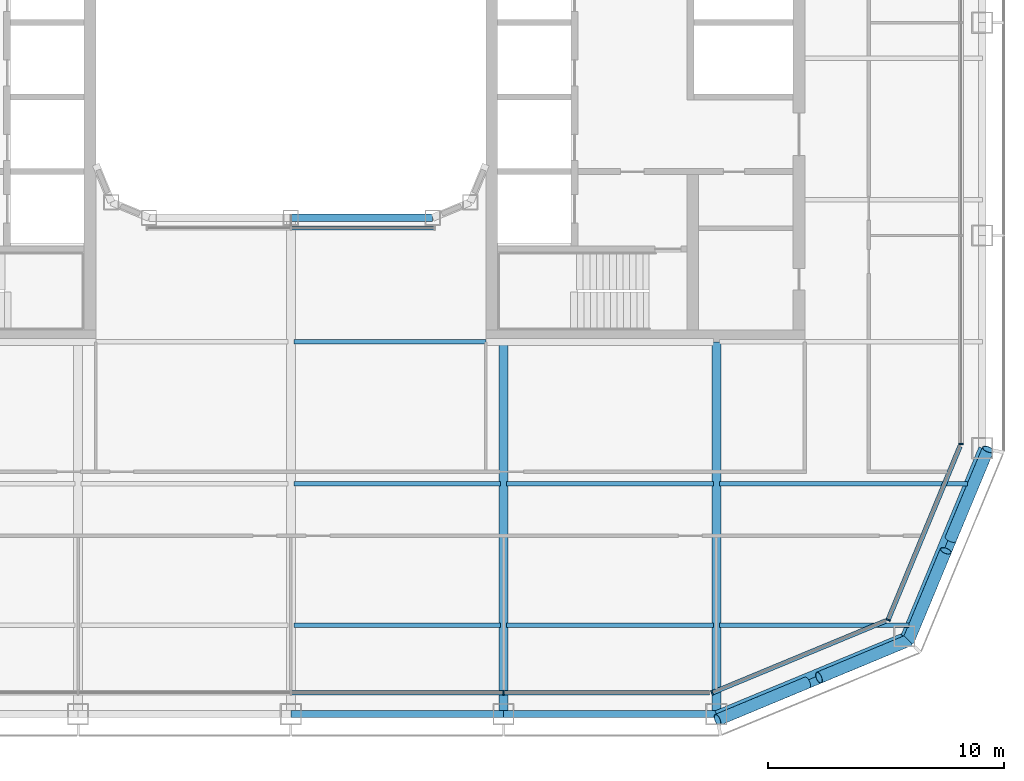
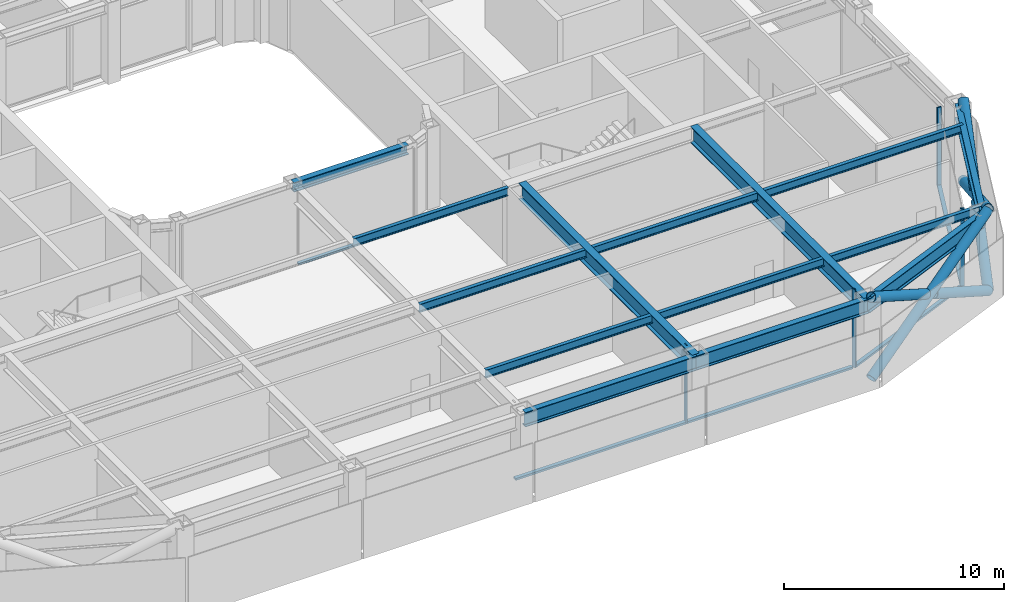
# One storey, part 4 of 23: 15 members, 14 beams, 5 elements without a shape of their own.
"""IFC4 building model written with IfcOpenShell, lengths in metres."""

from ifc_helpers import new_model, si_unit, direction, frame, origin, origin_2d, place, context, subcontext, project, spatial, rectangle, hollow_circle, i_section, extrude, material, layer, layer_set, material_profile, profile_set, type_object, element, aggregate, save


model = new_model("IFC4")

# Units and contexts
model_context = context("Model", 3, precision=1e-05, world=origin(), true_north=direction((0.0, 1.0)))
body_context = subcontext(model_context, "Body", "Model", "MODEL_VIEW")
ifc_project = project(units=[si_unit("LENGTHUNIT", "METRE"), si_unit("AREAUNIT", "SQUARE_METRE"), si_unit("VOLUMEUNIT", "CUBIC_METRE"), si_unit("PLANEANGLEUNIT", "RADIAN"), si_unit("MASSUNIT", "GRAM", prefix="KILO")], contexts=[model_context])

# Site, building, storey
site_placement = place(None, origin())
site = spatial("IfcSite", under=ifc_project, at=site_placement, CompositionType="ELEMENT")
building_placement = place(site_placement, origin())
building = spatial("IfcBuilding", under=site, at=building_placement, Name="Siwar Civic Tower", CompositionType="ELEMENT")
storey_placement = place(building_placement, frame((0.0, 0.0, 172.199951171875)))
storey = spatial("IfcBuildingStorey", under=building, at=storey_placement, Name="L37", CompositionType="ELEMENT", Elevation=172.199951171875)

# Curtain wall, member
ifc_material_1 = material(Name="Aluminium and glass", Category="aluminium")
ifc_layer_1 = layer(ifc_material_1, 0.199951171875)
ifc_layer_set_1 = layer_set([ifc_layer_1], Name="Aluminium and glass")
curtain_wall_type_1 = type_object("IfcCurtainWallType", Name="ENV-CW-B", PredefinedType="NOTDEFINED", material=ifc_layer_set_1)
curtain_wall_1_placement = place(storey_placement, origin())
curtain_wall_1 = element("IfcCurtainWall", 1, at=curtain_wall_1_placement, inside=storey, type_object=curtain_wall_type_1, Name="Curtain wall B S", PredefinedType="NOTDEFINED")
ifc_material_2 = material(Name="Aluminium 6063-T6", Category="aluminium")
ifc_material_profile_1 = material_profile(ifc_material_2, rectangle(XDim=0.199951171875, YDim=0.06494140625, at=origin_2d()), Name="AL 200x65")
ifc_profile_set_1 = profile_set([ifc_material_profile_1], Name="Aluminium 6063-T6")
member_type_1 = type_object("IfcMemberType", Name="ENV-MULLION-B", PredefinedType="MULLION", material=ifc_profile_set_1)
member_1_placement = place(storey_placement, frame((9.0, -28.35009765625, 0.0), z_axis=(0.0, 0.0, 1.0), x_axis=(0.0, 1.0, 0.0)))
member_1 = element("IfcMember", 2, at=member_1_placement, type_object=member_type_1, Name="Mullion B S 4", PredefinedType="MULLION", context=body_context, shape_type="SweptSolid", body=[
    extrude(rectangle(XDim=0.199951171875, YDim=0.06494140625, at=origin_2d()), origin(), (0.0, 0.0, 1.0), 4.35009765625),
])

ifc_material_3 = material(Name="Aluminium clad insulated panel", Category="aluminium")
ifc_layer_2 = layer(ifc_material_3, 0.199951171875)
ifc_layer_set_2 = layer_set([ifc_layer_2], Name="Aluminium clad insulated panel")
curtain_wall_type_2 = type_object("IfcCurtainWallType", Name="ENV-CW-BX", PredefinedType="NOTDEFINED", material=ifc_layer_set_2)
curtain_wall_2_placement = place(storey_placement, origin())
curtain_wall_2 = element("IfcCurtainWall", 3, at=curtain_wall_2_placement, inside=storey, type_object=curtain_wall_type_2, Name="Curtain wall B SE1", PredefinedType="NOTDEFINED")
member_2_placement = place(storey_placement, frame((17.821044921875, -28.35009765625, 0.0), z_axis=(0.0, 0.0, 1.0), x_axis=(-0.382683432365, 0.923879532511, 0.0)))
member_2 = element("IfcMember", 4, at=member_2_placement, type_object=member_type_1, Name="Mullion B SE1 1", PredefinedType="MULLION", context=body_context, shape_type="SweptSolid", body=[
    extrude(rectangle(XDim=0.199951171875, YDim=0.06494140625, at=origin_2d()), origin(), (0.0, 0.0, 1.0), 4.35009765625),
])

curtain_wall_3_placement = place(storey_placement, origin())
curtain_wall_3 = element("IfcCurtainWall", 5, at=curtain_wall_3_placement, inside=storey, type_object=curtain_wall_type_2, Name="Curtain wall B SE2", PredefinedType="NOTDEFINED")
member_3_placement = place(storey_placement, frame((25.26611328125, -25.26611328125, 0.0), z_axis=(0.0, 0.0, 1.0), x_axis=(-0.923879532511, 0.382683432365, 0.0)))
member_3 = element("IfcMember", 6, at=member_3_placement, type_object=member_type_1, Name="Mullion B SE2 1", PredefinedType="MULLION", context=body_context, shape_type="SweptSolid", body=[
    extrude(rectangle(XDim=0.199951171875, YDim=0.06494140625, at=origin_2d()), origin(), (0.0, 0.0, 1.0), 4.35009765625),
])

curtain_wall_4_placement = place(storey_placement, origin())
curtain_wall_4 = element("IfcCurtainWall", 7, at=curtain_wall_4_placement, inside=storey, type_object=curtain_wall_type_1, Name="Curtain wall B E", PredefinedType="NOTDEFINED")
member_4_placement = place(storey_placement, frame((28.35009765625, -17.821044921875, 0.0), z_axis=(0.0, 0.0, 1.0), x_axis=(-1.0, 0.0, 0.0)))
member_4 = element("IfcMember", 8, at=member_4_placement, type_object=member_type_1, Name="Mullion B E 1", PredefinedType="MULLION", context=body_context, shape_type="SweptSolid", body=[
    extrude(rectangle(XDim=0.199951171875, YDim=0.06494140625, at=origin_2d()), origin(), (0.0, 0.0, 1.0), 4.35009765625),
])
aggregate(curtain_wall_4, [member_4])

# Member
ifc_material_4 = material(Name="Aluminium 6063-T6", Category="aluminium")
ifc_material_profile_2 = material_profile(ifc_material_4, rectangle(XDim=0.199951171875, YDim=0.110107421875, at=origin_2d()), Name="AL 200x110")
ifc_profile_set_2 = profile_set([ifc_material_profile_2], Name="Aluminium 6063-T6")
member_type_2 = type_object("IfcMemberType", Name="ENV-TRANSOM-B", PredefinedType="USERDEFINED", material=ifc_profile_set_2)
member_5_placement = place(storey_placement, frame((0.032470703125, -28.35009765625, 0.054931640625), z_axis=(1.0, 0.0, 0.0), x_axis=(0.0, 1.0, 0.0)))
member_5 = element("IfcMember", 9, at=member_5_placement, type_object=member_type_2, Name="Transom B S 3", ObjectType="TRANSOM", PredefinedType="USERDEFINED", context=body_context, shape_type="SweptSolid", body=[
    extrude(rectangle(XDim=0.199951171875, YDim=0.110107421875, at=origin_2d()), origin(), (0.0, 0.0, 1.0), 8.93505859375),
])

member_6_placement = place(storey_placement, frame((9.032470703125, -28.35009765625, 0.054931640625), z_axis=(1.0, 0.0, 0.0), x_axis=(0.0, 1.0, 0.0)))
member_6 = element("IfcMember", 10, at=member_6_placement, type_object=member_type_2, Name="Transom B S 4", ObjectType="TRANSOM", PredefinedType="USERDEFINED", context=body_context, shape_type="SweptSolid", body=[
    extrude(rectangle(XDim=0.199951171875, YDim=0.110107421875, at=origin_2d()), origin(), (0.0, 0.0, 1.0), 8.6748046875),
])

aggregate(curtain_wall_1, [member_1, member_5, member_6])

member_7_placement = place(storey_placement, frame((17.85107421875, -28.337646484375, 0.054931640625), z_axis=(0.92387279587, 0.382699695651, 0.0), x_axis=(-0.382699695651, 0.92387279587, 0.0)))
member_7 = element("IfcMember", 11, at=member_7_placement, type_object=member_type_2, Name="Transom B SE1 1", ObjectType="TRANSOM", PredefinedType="USERDEFINED", context=body_context, shape_type="SweptSolid", body=[
    extrude(rectangle(XDim=0.199951171875, YDim=0.110107421875, at=origin_2d()), origin(), (0.0, 0.0, 1.0), 7.912353515625),
])

aggregate(curtain_wall_2, [member_2, member_7])

member_8_placement = place(storey_placement, frame((25.278564453125, -25.236083984375, 0.054931640625), z_axis=(0.382673358825, 0.923883705044, 0.0), x_axis=(-0.923883705044, 0.382673358825, 0.0)))
member_8 = element("IfcMember", 12, at=member_8_placement, type_object=member_type_2, Name="Transom B SE2 1", ObjectType="TRANSOM", PredefinedType="USERDEFINED", context=body_context, shape_type="SweptSolid", body=[
    extrude(rectangle(XDim=0.199951171875, YDim=0.110107421875, at=origin_2d()), origin(), (0.0, 0.0, 1.0), 7.912353515625),
])

aggregate(curtain_wall_3, [member_3, member_8])

# Curtain wall, member
ifc_material_5 = material(Name="Aluminium and glass", Category="aluminium")
ifc_layer_3 = layer(ifc_material_5, 0.179931640625)
ifc_layer_set_3 = layer_set([ifc_layer_3], Name="Aluminium and glass")
curtain_wall_type_3 = type_object("IfcCurtainWallType", Name="ENV-CW-W", PredefinedType="NOTDEFINED", material=ifc_layer_set_3)
curtain_wall_5_placement = place(storey_placement, origin())
curtain_wall_5 = element("IfcCurtainWall", 13, at=curtain_wall_5_placement, inside=storey, type_object=curtain_wall_type_3, Name="Curtain wall W WS", PredefinedType="NOTDEFINED")
ifc_material_6 = material(Name="Aluminium 6063-T6", Category="aluminium")
ifc_material_profile_3 = material_profile(ifc_material_6, rectangle(XDim=0.179931640625, YDim=0.10009765625, at=origin_2d()), Name="AL 180x100")
ifc_profile_set_3 = profile_set([ifc_material_profile_3], Name="Aluminium 6063-T6")
member_type_3 = type_object("IfcMemberType", Name="ENV-TRANSOM-W", PredefinedType="USERDEFINED", material=ifc_profile_set_3)
member_9_placement = place(storey_placement, frame((0.030029296875, -8.68505859375, 0.050048828125), z_axis=(1.0, 0.0, 0.0), x_axis=(0.0, 1.0, 0.0)))
member_9 = element("IfcMember", 14, at=member_9_placement, type_object=member_type_3, Name="Transom W WS 2", ObjectType="TRANSOM", PredefinedType="USERDEFINED", context=body_context, shape_type="SweptSolid", body=[
    extrude(rectangle(XDim=0.179931640625, YDim=0.10009765625, at=origin_2d()), origin(), (0.0, 0.0, 1.0), 6.026611328125),
])
aggregate(curtain_wall_5, [member_9])

# Members
ifc_material_7 = material(Name="Steel S355", Category="steel")
ifc_material_profile_4 = material_profile(ifc_material_7, hollow_circle(Radius=0.25390625, WallThickness=0.02490234375, at=origin_2d()), Name="CHS508x25")
ifc_profile_set_4 = profile_set([ifc_material_profile_4], Name="Steel S355")
member_type_4 = type_object("IfcMemberType", Name="STR-BR-CHS508x25", PredefinedType="BRACE", material=ifc_profile_set_4)
member_10_placement = place(storey_placement, frame((29.4951171875, -18.048828125, 0.0), z_axis=(-0.341671493852, -0.821142553604, 0.457149315816), x_axis=(0.923264922524, -0.384163874976, 0.0)))
element("IfcMember", 15, at=member_10_placement, inside=storey, type_object=member_type_4, Name="L37/brc/BSE1-16-0-1", PredefinedType="BRACE", context=body_context, shape_type="SweptSolid", body=[
    extrude(hollow_circle(Radius=0.25390625, WallThickness=0.02490234375, at=origin_2d()), origin(), (0.0, 0.0, 1.0), 9.843505859375),
])
member_11_placement = place(storey_placement, frame((26.1318359375, -26.1318359375, 0.0), z_axis=(0.341662474736, 0.821143275065, 0.457154760636), x_axis=(-0.923268638995, 0.384154943021, 0.0)))
element("IfcMember", 16, at=member_11_placement, inside=storey, type_object=member_type_4, Name="L37/brc/BSE1-16-0-2", PredefinedType="BRACE", context=body_context, shape_type="SweptSolid", body=[
    extrude(hollow_circle(Radius=0.25390625, WallThickness=0.02490234375, at=origin_2d()), origin(), (0.0, 0.0, 1.0), 4.61474609375),
])
member_12_placement = place(storey_placement, frame((27.91845703125, -21.837890625, 2.390625), z_axis=(0.34168558233, 0.821145902409, 0.457132770413), x_axis=(-0.923259859753, 0.384176042158, 0.0)))
element("IfcMember", 17, at=member_12_placement, inside=storey, type_object=member_type_4, Name="L37/brc/BSE1-16-0-3", PredefinedType="BRACE", context=body_context, shape_type="SweptSolid", body=[
    extrude(hollow_circle(Radius=0.25390625, WallThickness=0.02490234375, at=origin_2d()), origin(), (0.0, 0.0, 1.0), 4.6142578125),
])
member_13_placement = place(storey_placement, frame((18.048828125, -29.4951171875, 0.0), z_axis=(0.821142553604, 0.341671493852, 0.457149315816), x_axis=(-0.384163874976, 0.923264922524, 0.0)))
element("IfcMember", 18, at=member_13_placement, inside=storey, type_object=member_type_4, Name="L37/brc/BSE1-16-0-0", PredefinedType="BRACE", context=body_context, shape_type="SweptSolid", body=[
    extrude(hollow_circle(Radius=0.25390625, WallThickness=0.02490234375, at=origin_2d()), origin(), (0.0, 0.0, 1.0), 9.843505859375),
])
member_14_placement = place(storey_placement, frame((26.1318359375, -26.1318359375, 0.0), z_axis=(-0.821143275065, -0.341662474736, 0.457154760636), x_axis=(0.384154943021, -0.923268638995, 0.0)))
element("IfcMember", 19, at=member_14_placement, inside=storey, type_object=member_type_4, Name="L37/brc/BSE1-16-0-4", PredefinedType="BRACE", context=body_context, shape_type="SweptSolid", body=[
    extrude(hollow_circle(Radius=0.25390625, WallThickness=0.02490234375, at=origin_2d()), origin(), (0.0, 0.0, 1.0), 4.61474609375),
])
member_15_placement = place(storey_placement, frame((21.837890625, -27.91845703125, 2.390625), z_axis=(-0.821145902409, -0.34168558233, 0.457132770413), x_axis=(0.384176042158, -0.923259859753, 0.0)))
element("IfcMember", 20, at=member_15_placement, inside=storey, type_object=member_type_4, Name="L37/brc/BSE1-16-0-5", PredefinedType="BRACE", context=body_context, shape_type="SweptSolid", body=[
    extrude(hollow_circle(Radius=0.25390625, WallThickness=0.02490234375, at=origin_2d()), origin(), (0.0, 0.0, 1.0), 4.6142578125),
])

# Beams
ifc_material_8 = material(Name="Steel S355", Category="steel")
ifc_material_profile_5 = material_profile(ifc_material_8, i_section(OverallWidth=0.18994140625, OverallDepth=0.449951171875, WebThickness=0.009521484375, FlangeThickness=0.0146484375, FilletRadius=0.02099609375, at=origin_2d()), Name="IPE450")
ifc_profile_set_5 = profile_set([ifc_material_profile_5], Name="Steel S355")
beam_type_1 = type_object("IfcBeamType", Name="STR-FB-IPE450", PredefinedType="JOIST", material=ifc_profile_set_5)
for number, where, z_axis, x_axis, name in (
    (21, (0.1298828125, -25.5, 4.125), (1.0, 0.0, 0.0), (0.0, 1.0, 0.0), "L37/bm/F004"),
    (22, (9.1298828125, -25.5, 4.125), (1.0, 0.0, 0.0), (0.0, 1.0, 0.0), "L37/bm/F005"),
):
    element("IfcBeam", number, at=place(storey_placement, frame(where, z_axis=z_axis, x_axis=x_axis)), inside=storey, type_object=beam_type_1, Name=name, PredefinedType="JOIST", context=body_context, shape_type="SweptSolid", body=[
        extrude(i_section(OverallWidth=0.18994140625, OverallDepth=0.449951171875, WebThickness=0.009521484375, FlangeThickness=0.0146484375, FilletRadius=0.02099609375, at=origin_2d()), origin(), (0.0, 0.0, 1.0), 8.740234375),
    ])
beam_1_placement = place(storey_placement, frame((18.1298828125, -25.5, 4.125), z_axis=(1.0, 0.0, 0.0), x_axis=(0.0, 1.0, 0.0)))
element("IfcBeam", 23, at=beam_1_placement, inside=storey, type_object=beam_type_1, Name="L37/bm/F006", PredefinedType="JOIST", context=body_context, shape_type="SweptSolid", body=[
    extrude(i_section(OverallWidth=0.18994140625, OverallDepth=0.449951171875, WebThickness=0.009521484375, FlangeThickness=0.0146484375, FilletRadius=0.02099609375, at=origin_2d()), origin(), (0.0, 0.0, 1.0), 8.013427734375),
])
for number, where, z_axis, x_axis, name in (
    (24, (0.1298828125, -19.5, 4.125), (1.0, 0.0, 0.0), (0.0, 1.0, 0.0), "L37/bm/F010"),
    (25, (9.1298828125, -19.5, 4.125), (1.0, 0.0, 0.0), (0.0, 1.0, 0.0), "L37/bm/F011"),
):
    element("IfcBeam", number, at=place(storey_placement, frame(where, z_axis=z_axis, x_axis=x_axis)), inside=storey, type_object=beam_type_1, Name=name, PredefinedType="JOIST", context=body_context, shape_type="SweptSolid", body=[
        extrude(i_section(OverallWidth=0.18994140625, OverallDepth=0.449951171875, WebThickness=0.009521484375, FlangeThickness=0.0146484375, FilletRadius=0.02099609375, at=origin_2d()), origin(), (0.0, 0.0, 1.0), 8.740234375),
    ])
beam_2_placement = place(storey_placement, frame((18.1298828125, -19.5, 4.125), z_axis=(1.0, 0.0, 0.0), x_axis=(0.0, 1.0, 0.0)))
element("IfcBeam", 26, at=beam_2_placement, inside=storey, type_object=beam_type_1, Name="L37/bm/F012", PredefinedType="JOIST", context=body_context, shape_type="SweptSolid", body=[
    extrude(i_section(OverallWidth=0.18994140625, OverallDepth=0.449951171875, WebThickness=0.009521484375, FlangeThickness=0.0146484375, FilletRadius=0.02099609375, at=origin_2d()), origin(), (0.0, 0.0, 1.0), 10.498779296875),
])
beam_3_placement = place(storey_placement, frame((0.1298828125, -13.5, 4.125), z_axis=(1.0, 0.0, 0.0), x_axis=(0.0, 1.0, 0.0)))
element("IfcBeam", 27, at=beam_3_placement, inside=storey, type_object=beam_type_1, Name="L37/bm/F017", PredefinedType="JOIST", context=body_context, shape_type="SweptSolid", body=[
    extrude(i_section(OverallWidth=0.18994140625, OverallDepth=0.449951171875, WebThickness=0.009521484375, FlangeThickness=0.0146484375, FilletRadius=0.02099609375, at=origin_2d()), origin(), (0.0, 0.0, 1.0), 8.1201171875),
])
ifc_material_9 = material(Name="Steel S355", Category="steel")
ifc_material_profile_6 = material_profile(ifc_material_9, i_section(OverallWidth=0.3798828125, OverallDepth=0.89990234375, WebThickness=0.01611328125, FlangeThickness=0.035888671875, at=origin_2d()), Name="PG900x380x16x36")
ifc_profile_set_6 = profile_set([ifc_material_profile_6], Name="Steel S355")
beam_type_2 = type_object("IfcBeamType", Name="STR-PG-PG900x380x16x36", PredefinedType="BEAM", material=ifc_profile_set_6)
for number, where, z_axis, x_axis, name in (
    (28, (9.0, -29.25, 3.900146484375), (0.0, 1.0, 0.0), (-1.0, 0.0, 0.0), "L37/bm/G07"),
    (29, (18.0, -29.25, 3.900146484375), (0.0, 1.0, 0.0), (-1.0, 0.0, 0.0), "L37/bm/G09"),
):
    element("IfcBeam", number, at=place(storey_placement, frame(where, z_axis=z_axis, x_axis=x_axis)), inside=storey, type_object=beam_type_2, Name=name, PredefinedType="BEAM", context=body_context, shape_type="SweptSolid", body=[
        extrude(i_section(OverallWidth=0.3798828125, OverallDepth=0.89990234375, WebThickness=0.01611328125, FlangeThickness=0.035888671875, at=origin_2d()), origin(), (0.0, 0.0, 1.0), 15.75),
    ])
ifc_material_10 = material(Name="Steel S355", Category="steel")
ifc_material_profile_7 = material_profile(ifc_material_10, i_section(OverallWidth=0.305908203125, OverallDepth=0.52392578125, WebThickness=0.02099609375, FlangeThickness=0.0400390625, FilletRadius=0.027099609375, at=origin_2d()), Name="HEM500")
ifc_profile_set_7 = profile_set([ifc_material_profile_7], Name="Steel S355")
beam_type_3 = type_object("IfcBeamType", Name="STR-RB-HEM500", PredefinedType="BEAM", material=ifc_profile_set_7)
beam_4_placement = place(storey_placement, frame((0.0, -8.25, 4.088134765625), z_axis=(1.0, 0.0, 0.0), x_axis=(0.0, 1.0, 0.0)))
element("IfcBeam", 30, at=beam_4_placement, inside=storey, type_object=beam_type_3, Name="L37/bm/RS2", PredefinedType="BEAM", context=body_context, shape_type="SweptSolid", body=[
    extrude(i_section(OverallWidth=0.305908203125, OverallDepth=0.52392578125, WebThickness=0.02099609375, FlangeThickness=0.0400390625, FilletRadius=0.027099609375, at=origin_2d()), origin(), (0.0, 0.0, 1.0), 6.0),
])
ifc_material_11 = material(Name="Steel S355", Category="steel")
ifc_material_profile_8 = material_profile(ifc_material_11, i_section(OverallWidth=0.300048828125, OverallDepth=0.800048828125, WebThickness=0.017578125, FlangeThickness=0.032958984375, FilletRadius=0.030029296875, at=origin_2d()), Name="HEB800")
ifc_profile_set_8 = profile_set([ifc_material_profile_8], Name="Steel S355")
beam_type_4 = type_object("IfcBeamType", Name="STR-SB-HEB800", PredefinedType="BEAM", material=ifc_profile_set_8)
for number, where, z_axis, x_axis, name in (
    (31, (0.0, -29.25, 3.949951171875), (1.0, 0.0, 0.0), (0.0, 1.0, 0.0), "L37/bm/SS-2"),
    (32, (9.0, -29.25, 3.949951171875), (1.0, 0.0, 0.0), (0.0, 1.0, 0.0), "L37/bm/SS-3"),
):
    element("IfcBeam", number, at=place(storey_placement, frame(where, z_axis=z_axis, x_axis=x_axis)), inside=storey, type_object=beam_type_4, Name=name, PredefinedType="BEAM", context=body_context, shape_type="SweptSolid", body=[
        extrude(i_section(OverallWidth=0.300048828125, OverallDepth=0.800048828125, WebThickness=0.017578125, FlangeThickness=0.032958984375, FilletRadius=0.030029296875, at=origin_2d()), origin(), (0.0, 0.0, 1.0), 9.0),
    ])
for number, where, z_axis, x_axis, name in (
    (33, (18.0, -29.25, 3.949951171875), (0.923872720536, 0.382699877515, 0.0), (-0.382699877515, 0.923872720536, 0.0), "L37/bm/SSE1-0"),
    (34, (25.954833984375, -25.954833984375, 3.949951171875), (0.382699877515, 0.923872720536, 0.0), (-0.923872720536, 0.382699877515, 0.0), "L37/bm/SSE2-0"),
):
    element("IfcBeam", number, at=place(storey_placement, frame(where, z_axis=z_axis, x_axis=x_axis)), inside=storey, type_object=beam_type_4, Name=name, PredefinedType="BEAM", context=body_context, shape_type="SweptSolid", body=[
        extrude(i_section(OverallWidth=0.300048828125, OverallDepth=0.800048828125, WebThickness=0.017578125, FlangeThickness=0.032958984375, FilletRadius=0.030029296875, at=origin_2d()), origin(), (0.0, 0.0, 1.0), 8.6103515625),
    ])

save(model, "model.ifc")
